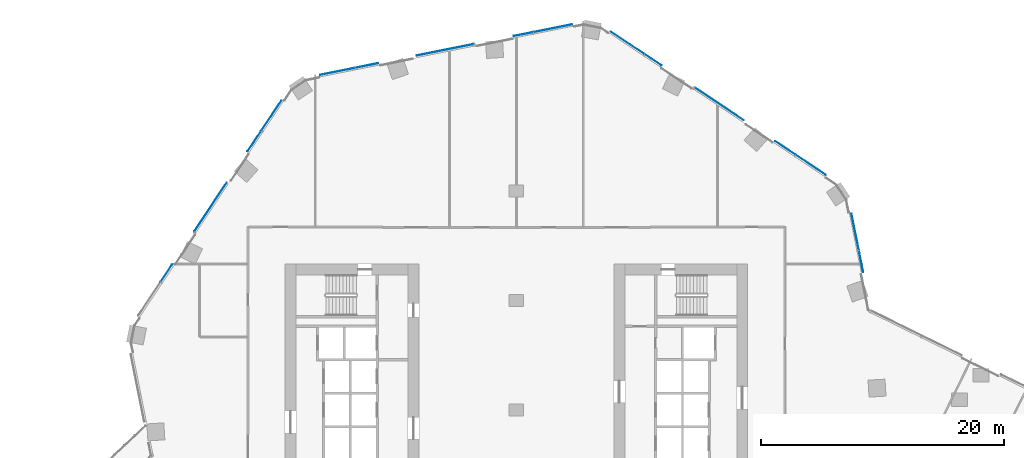
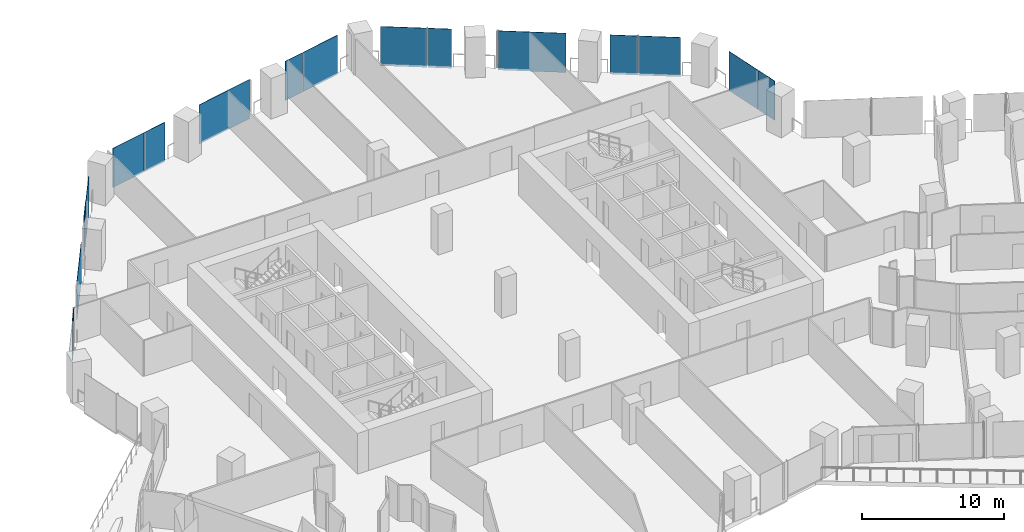
# One storey, part 20 of 32: 16 plates, 4 elements without a shape of their own.
"""IFC4 building model written with IfcOpenShell, lengths in metres."""

from ifc_helpers import new_model, si_unit, direction, frame, origin, origin_2d, place, context, subcontext, project, spatial, rectangle, extrude, material, layer, layer_set, type_object, element, aggregate, save


model = new_model("IFC4")

# Units and contexts
model_context = context("Model", 3, precision=1e-05, world=origin(), true_north=direction((0.0, 1.0)))
body_context = subcontext(model_context, "Body", "Model", "MODEL_VIEW")
ifc_project = project(units=[si_unit("LENGTHUNIT", "METRE"), si_unit("AREAUNIT", "SQUARE_METRE"), si_unit("VOLUMEUNIT", "CUBIC_METRE"), si_unit("PLANEANGLEUNIT", "RADIAN"), si_unit("MASSUNIT", "GRAM", prefix="KILO")], contexts=[model_context])

# Site, building, storey
site_placement = place(None, origin())
site = spatial("IfcSite", under=ifc_project, at=site_placement, CompositionType="ELEMENT")
building_placement = place(site_placement, origin())
building = spatial("IfcBuilding", under=site, at=building_placement, Name="Orlundy Tower", CompositionType="ELEMENT")
storey_placement = place(building_placement, frame((0.0, 0.0, 58.800048828125)))
storey = spatial("IfcBuildingStorey", under=building, at=storey_placement, Name="L13", CompositionType="ELEMENT", Elevation=58.800048828125)

# Curtain wall, plates
ifc_material_1 = material(Name="Aluminium bronze anodised", Category="aluminium")
curtain_wall_type = type_object("IfcCurtainWallType", Name="CW1 wall", PredefinedType="NOTDEFINED", material=ifc_material_1)
curtain_wall_1_placement = place(storey_placement, origin())
curtain_wall_1 = element("IfcCurtainWall", 1, at=curtain_wall_1_placement, inside=storey, type_object=curtain_wall_type, Name="CW1 run 014", PredefinedType="NOTDEFINED")
ifc_material_2 = material(Name="Tinted glass", Category="glass")
ifc_layer = layer(ifc_material_2, 0.031982421875)
ifc_layer_set = layer_set([ifc_layer], Name="CW1 glass panel 32")
plate_type = type_object("IfcPlateType", Name="CW1 glass panel 32", PredefinedType="CURTAIN_PANEL", material=ifc_layer_set)
plate_1_placement = place(storey_placement, frame((-28.761962890625, 11.2314453125, -0.280029296875), z_axis=(0.0, 0.0, 1.0), x_axis=(0.554356579774, 0.832279269513, 0.0)))
plate_1 = element("IfcPlate", 2, at=plate_1_placement, type_object=plate_type, Name="CW1 panel", PredefinedType="CURTAIN_PANEL", context=body_context, shape_type="SweptSolid", body=[
    extrude(rectangle(XDim=1.66748046875, YDim=0.031982421875, at=origin_2d()), origin(), (0.0, 0.0, 1.0), 3.3798828125),
])
plate_2_placement = place(storey_placement, frame((-25.13427734375, 16.677734375, -0.280029296875), z_axis=(0.0, 0.0, 1.0), x_axis=(0.554356579774, 0.832279269513, 0.0)))
plate_2 = element("IfcPlate", 3, at=plate_2_placement, type_object=plate_type, Name="CW1 panel", PredefinedType="CURTAIN_PANEL", context=body_context, shape_type="SweptSolid", body=[
    extrude(rectangle(XDim=4.814453125, YDim=0.031982421875, at=origin_2d()), origin(), (0.0, 0.0, 1.0), 3.3798828125),
])
plate_3_placement = place(storey_placement, frame((-21.53466796875, 22.08203125, -0.280029296875), z_axis=(0.0, 0.0, 1.0), x_axis=(0.554356579774, 0.832279269513, 0.0)))
plate_3 = element("IfcPlate", 4, at=plate_3_placement, type_object=plate_type, Name="CW1 panel", PredefinedType="CURTAIN_PANEL", context=body_context, shape_type="SweptSolid", body=[
    extrude(rectangle(XDim=1.980712890625, YDim=0.031982421875, at=origin_2d()), origin(), (0.0, 0.0, 1.0), 3.3798828125),
])
plate_4_placement = place(storey_placement, frame((-20.135986328125, 24.18212890625, -0.280029296875), z_axis=(0.0, 0.0, 1.0), x_axis=(0.554356579774, 0.832279269513, 0.0)))
plate_4 = element("IfcPlate", 5, at=plate_4_placement, type_object=plate_type, Name="CW1 panel", PredefinedType="CURTAIN_PANEL", context=body_context, shape_type="SweptSolid", body=[
    extrude(rectangle(XDim=2.966064453125, YDim=0.031982421875, at=origin_2d()), origin(), (0.0, 0.0, 1.0), 3.3798828125),
])
aggregate(curtain_wall_1, [plate_1, plate_2, plate_3, plate_4])

curtain_wall_2_placement = place(storey_placement, origin())
curtain_wall_2 = element("IfcCurtainWall", 6, at=curtain_wall_2_placement, inside=storey, type_object=curtain_wall_type, Name="CW1 run 015", PredefinedType="NOTDEFINED")
plate_5_placement = place(storey_placement, frame((-14.692626953125, 27.819091796875, -0.280029296875), z_axis=(0.0, 0.0, 1.0), x_axis=(0.980501672583, 0.196510737775, 0.0)))
plate_5 = element("IfcPlate", 7, at=plate_5_placement, type_object=plate_type, Name="CW1 panel", PredefinedType="CURTAIN_PANEL", context=body_context, shape_type="SweptSolid", body=[
    extrude(rectangle(XDim=2.916259765625, YDim=0.031982421875, at=origin_2d()), origin(), (0.0, 0.0, 1.0), 3.3798828125),
])
plate_6_placement = place(storey_placement, frame((-12.2763671875, 28.303466796875, -0.280029296875), z_axis=(0.0, 0.0, 1.0), x_axis=(0.980501672583, 0.196510737775, 0.0)))
plate_6 = element("IfcPlate", 8, at=plate_6_placement, type_object=plate_type, Name="CW1 panel", PredefinedType="CURTAIN_PANEL", context=body_context, shape_type="SweptSolid", body=[
    extrude(rectangle(XDim=1.912353515625, YDim=0.031982421875, at=origin_2d()), origin(), (0.0, 0.0, 1.0), 3.3798828125),
])
plate_7_placement = place(storey_placement, frame((-5.84619140625, 29.592041015625, -0.280029296875), z_axis=(0.0, 0.0, 1.0), x_axis=(0.980501672583, 0.196510737775, 0.0)))
plate_7 = element("IfcPlate", 9, at=plate_7_placement, type_object=plate_type, Name="CW1 panel", PredefinedType="CURTAIN_PANEL", context=body_context, shape_type="SweptSolid", body=[
    extrude(rectangle(XDim=4.75439453125, YDim=0.031982421875, at=origin_2d()), origin(), (0.0, 0.0, 1.0), 3.3798828125),
])
plate_8_placement = place(storey_placement, frame((0.571044921875, 30.878173828125, -0.280029296875), z_axis=(0.0, 0.0, 1.0), x_axis=(0.980501672583, 0.196510737775, 0.0)))
plate_8 = element("IfcPlate", 10, at=plate_8_placement, type_object=plate_type, Name="CW1 panel", PredefinedType="CURTAIN_PANEL", context=body_context, shape_type="SweptSolid", body=[
    extrude(rectangle(XDim=1.60595703125, YDim=0.031982421875, at=origin_2d()), origin(), (0.0, 0.0, 1.0), 3.3798828125),
])
plate_9_placement = place(storey_placement, frame((2.9873046875, 31.362548828125, -0.280029296875), z_axis=(0.0, 0.0, 1.0), x_axis=(0.980501672583, 0.196510737775, 0.0)))
plate_9 = element("IfcPlate", 11, at=plate_9_placement, type_object=plate_type, Name="CW1 panel", PredefinedType="CURTAIN_PANEL", context=body_context, shape_type="SweptSolid", body=[
    extrude(rectangle(XDim=3.22265625, YDim=0.031982421875, at=origin_2d()), origin(), (0.0, 0.0, 1.0), 3.3798828125),
])
aggregate(curtain_wall_2, [plate_5, plate_6, plate_7, plate_8, plate_9])

curtain_wall_3_placement = place(storey_placement, origin())
curtain_wall_3 = element("IfcCurtainWall", 12, at=curtain_wall_3_placement, inside=storey, type_object=curtain_wall_type, Name="CW1 run 016", PredefinedType="NOTDEFINED")
plate_10_placement = place(storey_placement, frame((9.127197265625, 30.16357421875, -0.280029296875), z_axis=(0.0, 0.0, 1.0), x_axis=(0.832279269513, -0.554356579774, 0.0)))
plate_10 = element("IfcPlate", 13, at=plate_10_placement, type_object=plate_type, Name="CW1 panel", PredefinedType="CURTAIN_PANEL", context=body_context, shape_type="SweptSolid", body=[
    extrude(rectangle(XDim=3.288818359375, YDim=0.031982421875, at=origin_2d()), origin(), (0.0, 0.0, 1.0), 3.3798828125),
])
plate_11_placement = place(storey_placement, frame((11.2314453125, 28.761962890625, -0.280029296875), z_axis=(0.0, 0.0, 1.0), x_axis=(0.832279269513, -0.554356579774, 0.0)))
plate_11 = element("IfcPlate", 14, at=plate_11_placement, type_object=plate_type, Name="CW1 panel", PredefinedType="CURTAIN_PANEL", context=body_context, shape_type="SweptSolid", body=[
    extrude(rectangle(XDim=1.66748046875, YDim=0.031982421875, at=origin_2d()), origin(), (0.0, 0.0, 1.0), 3.3798828125),
])
plate_12_placement = place(storey_placement, frame((16.677734375, 25.13427734375, -0.280029296875), z_axis=(0.0, 0.0, 1.0), x_axis=(0.832279269513, -0.554356579774, 0.0)))
plate_12 = element("IfcPlate", 15, at=plate_12_placement, type_object=plate_type, Name="CW1 panel", PredefinedType="CURTAIN_PANEL", context=body_context, shape_type="SweptSolid", body=[
    extrude(rectangle(XDim=4.814453125, YDim=0.031982421875, at=origin_2d()), origin(), (0.0, 0.0, 1.0), 3.3798828125),
])
plate_13_placement = place(storey_placement, frame((22.08203125, 21.53466796875, -0.280029296875), z_axis=(0.0, 0.0, 1.0), x_axis=(0.832279269513, -0.554356579774, 0.0)))
plate_13 = element("IfcPlate", 16, at=plate_13_placement, type_object=plate_type, Name="CW1 panel", PredefinedType="CURTAIN_PANEL", context=body_context, shape_type="SweptSolid", body=[
    extrude(rectangle(XDim=1.980712890625, YDim=0.031982421875, at=origin_2d()), origin(), (0.0, 0.0, 1.0), 3.3798828125),
])
plate_14_placement = place(storey_placement, frame((24.18212890625, 20.135986328125, -0.280029296875), z_axis=(0.0, 0.0, 1.0), x_axis=(0.832279269513, -0.554356579774, 0.0)))
plate_14 = element("IfcPlate", 17, at=plate_14_placement, type_object=plate_type, Name="CW1 panel", PredefinedType="CURTAIN_PANEL", context=body_context, shape_type="SweptSolid", body=[
    extrude(rectangle(XDim=2.966064453125, YDim=0.031982421875, at=origin_2d()), origin(), (0.0, 0.0, 1.0), 3.3798828125),
])
aggregate(curtain_wall_3, [plate_10, plate_11, plate_12, plate_13, plate_14])

curtain_wall_4_placement = place(storey_placement, origin())
curtain_wall_4 = element("IfcCurtainWall", 18, at=curtain_wall_4_placement, inside=storey, type_object=curtain_wall_type, Name="CW1 run 017", PredefinedType="NOTDEFINED")
plate_15_placement = place(storey_placement, frame((27.833740234375, 14.619873046875, -0.280029296875), z_axis=(0.0, 0.0, 1.0), x_axis=(0.196529373401, -0.980497937474, 0.0)))
plate_15 = element("IfcPlate", 19, at=plate_15_placement, type_object=plate_type, Name="CW1 panel", PredefinedType="CURTAIN_PANEL", context=body_context, shape_type="SweptSolid", body=[
    extrude(rectangle(XDim=3.064208984375, YDim=0.031982421875, at=origin_2d()), origin(), (0.0, 0.0, 1.0), 3.3798828125),
])
plate_16_placement = place(storey_placement, frame((28.318115234375, 12.203857421875, -0.280029296875), z_axis=(0.0, 0.0, 1.0), x_axis=(0.196529373401, -0.980497937474, 0.0)))
plate_16 = element("IfcPlate", 20, at=plate_16_placement, type_object=plate_type, Name="CW1 panel", PredefinedType="CURTAIN_PANEL", context=body_context, shape_type="SweptSolid", body=[
    extrude(rectangle(XDim=1.76416015625, YDim=0.031982421875, at=origin_2d()), origin(), (0.0, 0.0, 1.0), 3.3798828125),
])
aggregate(curtain_wall_4, [plate_15, plate_16])

save(model, "model.ifc")
